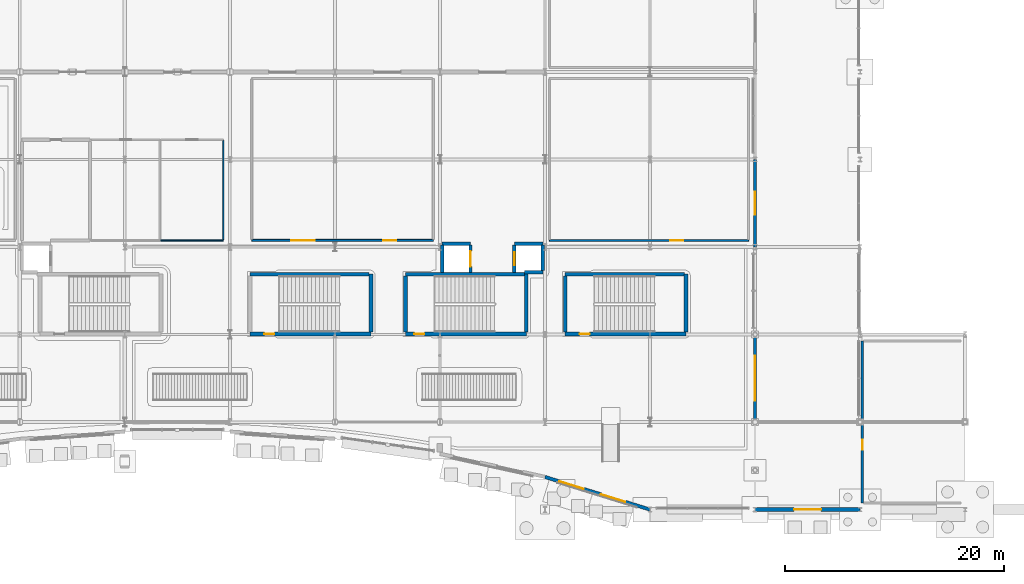
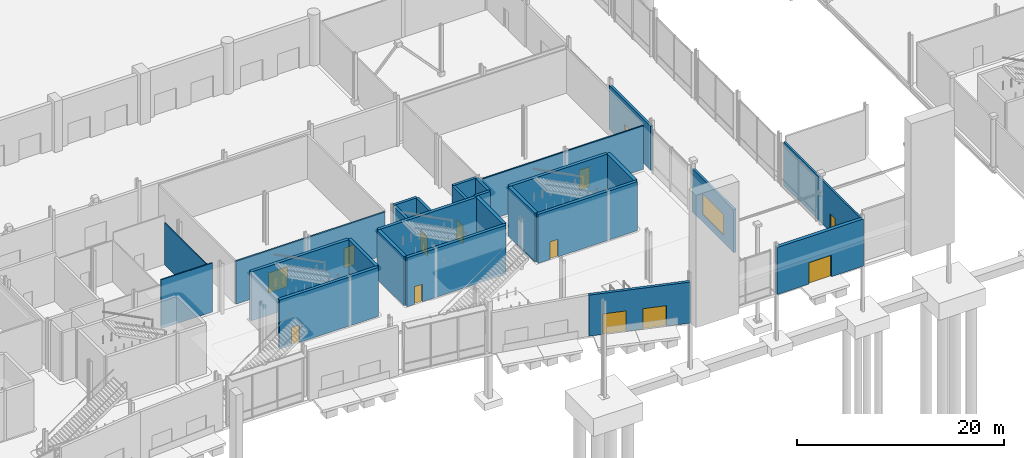
# One storey, part 75 of 124: 27 walls, 12 doors, 2 windows, 14 openings.
"""IFC4 building model written with IfcOpenShell, lengths in metres."""

from ifc_helpers import new_model, si_unit, direction, frame, frame_2d, origin, place, context, subcontext, project, spatial, rectangle, extrude, material, layer, layer_set, type_object, element, fill, save


model = new_model("IFC4")

# Units and contexts
model_context = context("Model", 3, precision=1e-05, world=origin(), true_north=direction((0.0, 1.0)))
body_context = subcontext(model_context, "Body", "Model", "MODEL_VIEW")
ifc_project = project(units=[si_unit("LENGTHUNIT", "METRE"), si_unit("AREAUNIT", "SQUARE_METRE"), si_unit("VOLUMEUNIT", "CUBIC_METRE"), si_unit("PLANEANGLEUNIT", "RADIAN"), si_unit("MASSUNIT", "GRAM", prefix="KILO")], contexts=[model_context])

# Site, building, storey
site_placement = place(None, origin())
site = spatial("IfcSite", under=ifc_project, at=site_placement, CompositionType="ELEMENT")
building_placement = place(site_placement, origin())
building = spatial("IfcBuilding", under=site, at=building_placement, Name="Danafjord Basin Convention Centre", CompositionType="ELEMENT")
storey_placement = place(building_placement, origin())
storey = spatial("IfcBuildingStorey", under=building, at=storey_placement, Name="L00", CompositionType="ELEMENT", Elevation=0.0)

# Wall
ifc_material_1 = material(Name="Concrete C40/50", Category="concrete")
ifc_layer_1 = layer(ifc_material_1, 0.300048828125)
ifc_layer_set_1 = layer_set([ifc_layer_1], Name="Concrete C40/50")
wall_type_1 = type_object("IfcWallType", Name="WALL-CW-CORE300", PredefinedType="SHEAR", material=ifc_layer_set_1)
wall_1_placement = place(storey_placement, frame((89.199951171875, 24.300048828125, 0.0), z_axis=(0.0, 0.0, 1.0), x_axis=(-1.0, 0.0, 0.0)))
element("IfcWall", 1, at=wall_1_placement, inside=storey, type_object=wall_type_1, Name="Lift LF-FF02 shaft shear wall", PredefinedType="SHEAR", context=body_context, shape_type="SweptSolid", body=[
    extrude(rectangle(XDim=2.599853515625, YDim=0.300048828125, at=frame_2d((1.2998046875, 0.0))), origin(), (0.0, 0.0, 1.0), 5.77001953125),
])

# Wall, opening, door
wall_2_placement = place(storey_placement, frame((89.199951171875, 21.6650390625, 0.0), z_axis=(0.0, 0.0, 1.0), x_axis=(0.0, 1.0, 0.0)))
wall_2 = element("IfcWall", 2, at=wall_2_placement, inside=storey, type_object=wall_type_1, Name="Lift LF-FF02 shaft shear wall", PredefinedType="SHEAR", context=body_context, shape_type="SweptSolid", body=[
    extrude(rectangle(XDim=2.5, YDim=0.300048828125, at=frame_2d((1.25, 0.0))), origin(), (0.0, 0.0, 1.0), 5.77001953125),
])
opening_1_placement = place(wall_2_placement, frame((0.550048828125, 0.0, 0.0)))
opening_1 = element("IfcOpeningElement", 3, at=opening_1_placement, cuts=wall_2, Name="Opening LD-F01", PredefinedType="OPENING", context=body_context, shape_type="SweptSolid", body=[
    extrude(rectangle(XDim=1.39990234375, YDim=2.260009765625, at=frame_2d((0.699951171875, 1.1298828125))), frame((0.0, 0.159912109375, 0.0), z_axis=(0.0, -1.0, 0.0), x_axis=(1.0, 0.0, 0.0)), (0.0, 0.0, 1.0), 0.320068359375),
])
ifc_material_2 = material(Name="Brushed stainless steel and acoustic laminated glass", Category="steel")
door_type_1 = type_object("IfcDoorType", Name="DOOR-LD-F01", OperationType="DOUBLE_DOOR_SLIDING", PredefinedType="DOOR", material=ifc_material_2)
door_1_placement = place(opening_1_placement, origin())
door_1 = element("IfcDoor", 4, at=door_1_placement, inside=storey, type_object=door_type_1, Name="Lift LF-FF02 L00 Landing Door", OperationType="DOUBLE_DOOR_SLIDING", OverallHeight=2.260009765625, OverallWidth=1.39990234375, PredefinedType="DOOR", context=body_context, shape_type="SweptSolid", body=[
    extrude(rectangle(XDim=1.39990234375, YDim=2.260009765625, at=frame_2d((0.699951171875, 1.1298828125))), frame((0.0, 0.02490234375, 0.0), z_axis=(0.0, -1.0, 0.0), x_axis=(1.0, 0.0, 0.0)), (0.0, 0.0, 1.0), 0.050048828125),
])
fill(opening_1, door_1)

# Walls
wall_3_placement = place(storey_placement, frame((86.60009765625, 24.1650390625, 0.0), z_axis=(0.0, 0.0, 1.0), x_axis=(0.0, -1.0, 0.0)))
element("IfcWall", 5, at=wall_3_placement, inside=storey, type_object=wall_type_1, Name="Lift LF-FF02 shaft shear wall", PredefinedType="SHEAR", context=body_context, shape_type="SweptSolid", body=[
    extrude(rectangle(XDim=2.5, YDim=0.300048828125, at=frame_2d((1.25, 0.0))), origin(), (0.0, 0.0, 1.0), 5.77001953125),
])
wall_4_placement = place(storey_placement, frame((95.800048828125, 24.300048828125, 0.0), z_axis=(0.0, 0.0, 1.0), x_axis=(-1.0, 0.0, 0.0)))
element("IfcWall", 6, at=wall_4_placement, inside=storey, type_object=wall_type_1, Name="Lift LF-P02 shaft shear wall", PredefinedType="SHEAR", context=body_context, shape_type="SweptSolid", body=[
    extrude(rectangle(XDim=2.60009765625, YDim=0.300048828125, at=frame_2d((1.300048828125, 0.0))), origin(), (0.0, 0.0, 1.0), 5.77001953125),
])
wall_5_placement = place(storey_placement, frame((94.110107421875, 21.699951171875, 0.0), z_axis=(0.0, 0.0, 1.0), x_axis=(1.0, 0.0, 0.0)))
element("IfcWall", 7, at=wall_5_placement, inside=storey, type_object=wall_type_1, Name="Lift LF-P02 shaft shear wall", PredefinedType="SHEAR", context=body_context, shape_type="SweptSolid", body=[
    extrude(rectangle(XDim=1.68994140625, YDim=0.300048828125, at=frame_2d((0.844970703125, 0.0))), origin(), (0.0, 0.0, 1.0), 5.77001953125),
])
wall_6_placement = place(storey_placement, frame((95.800048828125, 21.8349609375, 0.0), z_axis=(0.0, 0.0, 1.0), x_axis=(0.0, 1.0, 0.0)))
element("IfcWall", 8, at=wall_6_placement, inside=storey, type_object=wall_type_1, Name="Lift LF-P02 shaft shear wall", PredefinedType="SHEAR", context=body_context, shape_type="SweptSolid", body=[
    extrude(rectangle(XDim=2.330078125, YDim=0.300048828125, at=frame_2d((1.1650390625, 0.0))), origin(), (0.0, 0.0, 1.0), 5.77001953125),
])

# Wall, opening, door
wall_7_placement = place(storey_placement, frame((93.199951171875, 24.1650390625, 0.0), z_axis=(0.0, 0.0, 1.0), x_axis=(0.0, -1.0, 0.0)))
wall_7 = element("IfcWall", 9, at=wall_7_placement, inside=storey, type_object=wall_type_1, Name="Lift LF-P02 shaft shear wall", PredefinedType="SHEAR", context=body_context, shape_type="SweptSolid", body=[
    extrude(rectangle(XDim=2.5, YDim=0.300048828125, at=frame_2d((1.25, 0.0))), origin(), (0.0, 0.0, 1.0), 5.77001953125),
])
opening_2_placement = place(wall_7_placement, frame((0.64990234375, 0.0, 0.0)))
opening_2 = element("IfcOpeningElement", 10, at=opening_2_placement, cuts=wall_7, Name="Opening LD-P01", PredefinedType="OPENING", context=body_context, shape_type="SweptSolid", body=[
    extrude(rectangle(XDim=1.199951171875, YDim=2.199951171875, at=frame_2d((0.60009765625, 1.10009765625))), frame((0.0, 0.159912109375, 0.0), z_axis=(0.0, -1.0, 0.0), x_axis=(1.0, 0.0, 0.0)), (0.0, 0.0, 1.0), 0.320068359375),
])
door_type_2 = type_object("IfcDoorType", Name="DOOR-LD-P01", OperationType="DOUBLE_DOOR_SLIDING", PredefinedType="DOOR", material=ifc_material_2)
door_2_placement = place(opening_2_placement, origin())
door_2 = element("IfcDoor", 11, at=door_2_placement, inside=storey, type_object=door_type_2, Name="Lift LF-P02 L00 Landing Door", OperationType="DOUBLE_DOOR_SLIDING", OverallHeight=2.199951171875, OverallWidth=1.199951171875, PredefinedType="DOOR", context=body_context, shape_type="SweptSolid", body=[
    extrude(rectangle(XDim=1.199951171875, YDim=2.199951171875, at=frame_2d((0.60009765625, 1.10009765625))), frame((0.0, 0.02490234375, 0.0), z_axis=(0.0, -1.0, 0.0), x_axis=(1.0, 0.0, 0.0)), (0.0, 0.0, 1.0), 0.050048828125),
])
fill(opening_2, door_2)

ifc_material_3 = material(Name="Concrete C45/55", Category="concrete")
ifc_layer_2 = layer(ifc_material_3, 0.35009765625)
ifc_layer_set_2 = layer_set([ifc_layer_2], Name="Concrete C45/55")
wall_type_2 = type_object("IfcWallType", Name="WALL-CW-CORE350", PredefinedType="SHEAR", material=ifc_layer_set_2)
wall_8_placement = place(storey_placement, frame((94.2900390625, 16.050048828125, 0.0), z_axis=(0.0, 0.0, 1.0), x_axis=(-1.0, 0.0, 0.0)))
wall_8 = element("IfcWall", 12, at=wall_8_placement, inside=storey, type_object=wall_type_2, Name="Central Harbour Core Stair 1 core shear wall (south)", PredefinedType="SHEAR", context=body_context, shape_type="SweptSolid", body=[
    extrude(rectangle(XDim=11.0400390625, YDim=0.35009765625, at=frame_2d((5.52001953125, 0.0))), origin(), (0.0, 0.0, 1.0), 5.77001953125),
])
opening_3_placement = place(wall_8_placement, frame((9.323974609375, 0.0, 0.0)))
opening_3 = element("IfcOpeningElement", 13, at=opening_3_placement, cuts=wall_8, Name="Opening FD-S01", PredefinedType="OPENING", context=body_context, shape_type="SweptSolid", body=[
    extrude(rectangle(XDim=0.909912109375, YDim=2.080078125, at=frame_2d((0.455078125, 1.0400390625))), frame((0.0, 0.18505859375, 0.0), z_axis=(0.0, -1.0, 0.0), x_axis=(1.0, 0.0, 0.0)), (0.0, 0.0, 1.0), 0.3701171875),
])
ifc_material_4 = material(Name="Powder-coated steel and Nordic oak", Category="steel")
door_type_3 = type_object("IfcDoorType", Name="DOOR-FD-S01", OperationType="NOTDEFINED", PredefinedType="DOOR", material=ifc_material_4)
door_3_placement = place(opening_3_placement, origin())
door_3 = element("IfcDoor", 14, at=door_3_placement, inside=storey, type_object=door_type_3, Name="Central Harbour Core Stair 1 L00 Fire Exit Door", OperationType="SINGLE_SWING_RIGHT", OverallHeight=2.080078125, OverallWidth=0.909912109375, PredefinedType="DOOR", context=body_context, shape_type="SweptSolid", body=[
    extrude(rectangle(XDim=0.909912109375, YDim=2.080078125, at=frame_2d((0.455078125, 1.0400390625))), frame((0.0, 0.02490234375, 0.0), z_axis=(0.0, -1.0, 0.0), x_axis=(1.0, 0.0, 0.0)), (0.0, 0.0, 1.0), 0.050048828125),
])
fill(opening_3, door_3)

# Walls
wall_9_placement = place(storey_placement, frame((94.2900390625, 21.510009765625, 0.0), z_axis=(0.0, 0.0, 1.0), x_axis=(0.0, -1.0, 0.0)))
element("IfcWall", 15, at=wall_9_placement, inside=storey, type_object=wall_type_2, Name="Central Harbour Core Stair 1 core shear wall (east)", PredefinedType="SHEAR", context=body_context, shape_type="SweptSolid", body=[
    extrude(rectangle(XDim=5.300048828125, YDim=0.35009765625, at=frame_2d((2.64990234375, 0.0))), origin(), (0.0, 0.0, 1.0), 5.77001953125),
])
wall_10_placement = place(storey_placement, frame((83.25, 21.510009765625, 0.0), z_axis=(0.0, 0.0, 1.0), x_axis=(1.0, 0.0, 0.0)))
element("IfcWall", 16, at=wall_10_placement, inside=storey, type_object=wall_type_2, Name="Central Harbour Core Stair 1 core shear wall (north)", PredefinedType="SHEAR", context=body_context, shape_type="SweptSolid", body=[
    extrude(rectangle(XDim=10.8798828125, YDim=0.35009765625, at=frame_2d((5.43994140625, 0.0))), origin(), (0.0, 0.0, 1.0), 5.77001953125),
])
wall_11_placement = place(storey_placement, frame((83.25, 16.2099609375, 0.0), z_axis=(0.0, 0.0, 1.0), x_axis=(0.0, 1.0, 0.0)))
element("IfcWall", 17, at=wall_11_placement, inside=storey, type_object=wall_type_2, Name="Central Harbour Core Stair 1 core shear wall (west)", PredefinedType="SHEAR", context=body_context, shape_type="SweptSolid", body=[
    extrude(rectangle(XDim=5.14013671875, YDim=0.35009765625, at=frame_2d((2.570068359375, 0.0))), origin(), (0.0, 0.0, 1.0), 5.77001953125),
])

# Wall, opening, door
wall_12_placement = place(storey_placement, frame((108.889892578125, 16.050048828125, 0.0), z_axis=(0.0, 0.0, 1.0), x_axis=(-1.0, 0.0, 0.0)))
wall_12 = element("IfcWall", 18, at=wall_12_placement, inside=storey, type_object=wall_type_2, Name="East Harbour Escape Stair 2 core shear wall (south)", PredefinedType="SHEAR", context=body_context, shape_type="SweptSolid", body=[
    extrude(rectangle(XDim=11.039794921875, YDim=0.35009765625, at=frame_2d((5.52001953125, 0.0))), origin(), (0.0, 0.0, 1.0), 5.77001953125),
])
opening_4_placement = place(wall_12_placement, frame((8.818115234375, 0.0, 0.0)))
opening_4 = element("IfcOpeningElement", 19, at=opening_4_placement, cuts=wall_12, Name="Opening FD-S01", PredefinedType="OPENING", context=body_context, shape_type="SweptSolid", body=[
    extrude(rectangle(XDim=0.909912109375, YDim=2.080078125, at=frame_2d((0.455078125, 1.0400390625))), frame((0.0, 0.18505859375, 0.0), z_axis=(0.0, -1.0, 0.0), x_axis=(1.0, 0.0, 0.0)), (0.0, 0.0, 1.0), 0.3701171875),
])
door_4_placement = place(opening_4_placement, origin())
door_4 = element("IfcDoor", 20, at=door_4_placement, inside=storey, type_object=door_type_3, Name="East Harbour Escape Stair 2 L00 Fire Exit Door", OperationType="SINGLE_SWING_RIGHT", OverallHeight=2.080078125, OverallWidth=0.909912109375, PredefinedType="DOOR", context=body_context, shape_type="SweptSolid", body=[
    extrude(rectangle(XDim=0.909912109375, YDim=2.080078125, at=frame_2d((0.455078125, 1.0400390625))), frame((0.0, 0.02490234375, 0.0), z_axis=(0.0, -1.0, 0.0), x_axis=(1.0, 0.0, 0.0)), (0.0, 0.0, 1.0), 0.050048828125),
])
fill(opening_4, door_4)

# Walls
wall_13_placement = place(storey_placement, frame((108.889892578125, 21.510009765625, 0.0), z_axis=(0.0, 0.0, 1.0), x_axis=(0.0, -1.0, 0.0)))
element("IfcWall", 21, at=wall_13_placement, inside=storey, type_object=wall_type_2, Name="East Harbour Escape Stair 2 core shear wall (east)", PredefinedType="SHEAR", context=body_context, shape_type="SweptSolid", body=[
    extrude(rectangle(XDim=5.300048828125, YDim=0.35009765625, at=frame_2d((2.64990234375, 0.0))), origin(), (0.0, 0.0, 1.0), 5.77001953125),
])
wall_14_placement = place(storey_placement, frame((97.85009765625, 21.510009765625, 0.0), z_axis=(0.0, 0.0, 1.0), x_axis=(1.0, 0.0, 0.0)))
element("IfcWall", 22, at=wall_14_placement, inside=storey, type_object=wall_type_2, Name="East Harbour Escape Stair 2 core shear wall (north)", PredefinedType="SHEAR", context=body_context, shape_type="SweptSolid", body=[
    extrude(rectangle(XDim=10.8798828125, YDim=0.35009765625, at=frame_2d((5.43994140625, 0.0))), origin(), (0.0, 0.0, 1.0), 5.77001953125),
])
wall_15_placement = place(storey_placement, frame((97.85009765625, 16.2099609375, 0.0), z_axis=(0.0, 0.0, 1.0), x_axis=(0.0, 1.0, 0.0)))
element("IfcWall", 23, at=wall_15_placement, inside=storey, type_object=wall_type_2, Name="East Harbour Escape Stair 2 core shear wall (west)", PredefinedType="SHEAR", context=body_context, shape_type="SweptSolid", body=[
    extrude(rectangle(XDim=5.14013671875, YDim=0.35009765625, at=frame_2d((2.570068359375, 0.0))), origin(), (0.0, 0.0, 1.0), 5.77001953125),
])

# Wall, opening, door
wall_16_placement = place(storey_placement, frame((80.090087890625, 16.050048828125, 0.0), z_axis=(0.0, 0.0, 1.0), x_axis=(-1.0, 0.0, 0.0)))
wall_16 = element("IfcWall", 24, at=wall_16_placement, inside=storey, type_object=wall_type_2, Name="Mid-Arc Escape Stair 2 core shear wall (south)", PredefinedType="SHEAR", context=body_context, shape_type="SweptSolid", body=[
    extrude(rectangle(XDim=11.0400390625, YDim=0.35009765625, at=frame_2d((5.52001953125, 0.0))), origin(), (0.0, 0.0, 1.0), 5.77001953125),
])
opening_5_placement = place(wall_16_placement, frame((8.818115234375, 0.0, 0.0)))
opening_5 = element("IfcOpeningElement", 25, at=opening_5_placement, cuts=wall_16, Name="Opening FD-S01", PredefinedType="OPENING", context=body_context, shape_type="SweptSolid", body=[
    extrude(rectangle(XDim=0.909912109375, YDim=2.080078125, at=frame_2d((0.455078125, 1.0400390625))), frame((0.0, 0.18505859375, 0.0), z_axis=(0.0, -1.0, 0.0), x_axis=(1.0, 0.0, 0.0)), (0.0, 0.0, 1.0), 0.3701171875),
])
door_5_placement = place(opening_5_placement, origin())
door_5 = element("IfcDoor", 26, at=door_5_placement, inside=storey, type_object=door_type_3, Name="Mid-Arc Escape Stair 2 L00 Fire Exit Door", OperationType="SINGLE_SWING_LEFT", OverallHeight=2.080078125, OverallWidth=0.909912109375, PredefinedType="DOOR", context=body_context, shape_type="SweptSolid", body=[
    extrude(rectangle(XDim=0.909912109375, YDim=2.080078125, at=frame_2d((0.455078125, 1.0400390625))), frame((0.0, 0.02490234375, 0.0), z_axis=(0.0, -1.0, 0.0), x_axis=(1.0, 0.0, 0.0)), (0.0, 0.0, 1.0), 0.050048828125),
])
fill(opening_5, door_5)

# Walls
wall_17_placement = place(storey_placement, frame((80.090087890625, 21.510009765625, 0.0), z_axis=(0.0, 0.0, 1.0), x_axis=(0.0, -1.0, 0.0)))
element("IfcWall", 27, at=wall_17_placement, inside=storey, type_object=wall_type_2, Name="Mid-Arc Escape Stair 2 core shear wall (east)", PredefinedType="SHEAR", context=body_context, shape_type="SweptSolid", body=[
    extrude(rectangle(XDim=5.300048828125, YDim=0.35009765625, at=frame_2d((2.64990234375, 0.0))), origin(), (0.0, 0.0, 1.0), 5.77001953125),
])
wall_18_placement = place(storey_placement, frame((69.050048828125, 21.510009765625, 0.0), z_axis=(0.0, 0.0, 1.0), x_axis=(1.0, 0.0, 0.0)))
element("IfcWall", 28, at=wall_18_placement, inside=storey, type_object=wall_type_2, Name="Mid-Arc Escape Stair 2 core shear wall (north)", PredefinedType="SHEAR", context=body_context, shape_type="SweptSolid", body=[
    extrude(rectangle(XDim=10.8798828125, YDim=0.35009765625, at=frame_2d((5.43994140625, 0.0))), origin(), (0.0, 0.0, 1.0), 5.77001953125),
])

# Wall, openings, doors
ifc_material_5 = material(Name="Precast concrete C40/50", Category="concrete")
ifc_layer_3 = layer(ifc_material_5, 0.31005859375)
ifc_layer_set_3 = layer_set([ifc_layer_3], Name="Precast concrete C40/50")
wall_type_3 = type_object("IfcWallType", Name="WALL-EW-PC300", PredefinedType="SOLIDWALL", material=ifc_layer_set_3)
wall_19_placement = place(storey_placement, frame((96.0, 2.97998046875, 0.0), z_axis=(0.0, 0.0, 1.0), x_axis=(0.955046116742, -0.296457273306, 0.0)))
wall_19 = element("IfcWall", 29, at=wall_19_placement, inside=storey, type_object=wall_type_3, Name="L00 harbourfront precast facade bay 11", PredefinedType="SOLIDWALL", context=body_context, shape_type="SweptSolid", body=[
    extrude(rectangle(XDim=10.052001953125, YDim=0.31005859375, at=frame_2d((5.02587890625, 0.0))), origin(), (0.0, 0.0, 1.0), 4.840087890625),
])
opening_6_placement = place(wall_19_placement, frame((1.35009765625, 0.0, 0.0)))
opening_6 = element("IfcOpeningElement", 30, at=opening_6_placement, cuts=wall_19, Name="Opening ED-01", PredefinedType="OPENING", context=body_context, shape_type="SweptSolid", body=[
    extrude(rectangle(XDim=2.340087890625, YDim=2.419921875, at=frame_2d((1.169921875, 1.2099609375))), frame((0.0, 0.1650390625, 0.0), z_axis=(0.0, -1.0, 0.0), x_axis=(1.0, 0.0, 0.0)), (0.0, 0.0, 1.0), 0.330078125),
])
opening_7_placement = place(wall_19_placement, frame((5.35009765625, 0.0, 0.0)))
opening_7 = element("IfcOpeningElement", 31, at=opening_7_placement, cuts=wall_19, Name="Opening ED-01", PredefinedType="OPENING", context=body_context, shape_type="SweptSolid", body=[
    extrude(rectangle(XDim=2.340087890625, YDim=2.419921875, at=frame_2d((1.169921875, 1.2099609375))), frame((0.0, 0.1650390625, 0.0), z_axis=(0.0, -1.0, 0.0), x_axis=(1.0, 0.0, 0.0)), (0.0, 0.0, 1.0), 0.330078125),
])
ifc_material_6 = material(Name="Thermally broken anodised aluminium and steel", Category="steel")
door_type_4 = type_object("IfcDoorType", Name="DOOR-ED-01", OperationType="DOUBLE_DOOR_SINGLE_SWING", PredefinedType="DOOR", material=ifc_material_6)
door_6_placement = place(opening_6_placement, origin())
door_6 = element("IfcDoor", 32, at=door_6_placement, inside=storey, type_object=door_type_4, Name="Harbourfront Registration Entrance Door", OperationType="DOUBLE_DOOR_SINGLE_SWING", OverallHeight=2.419921875, OverallWidth=2.340087890625, PredefinedType="DOOR", context=body_context, shape_type="SweptSolid", body=[
    extrude(rectangle(XDim=2.340087890625, YDim=2.419921875, at=frame_2d((1.169921875, 1.2099609375))), frame((0.0, 0.02490234375, 0.0), z_axis=(0.0, -1.0, 0.0), x_axis=(1.0, 0.0, 0.0)), (0.0, 0.0, 1.0), 0.050048828125),
])
fill(opening_6, door_6)
door_7_placement = place(opening_7_placement, origin())
door_7 = element("IfcDoor", 33, at=door_7_placement, inside=storey, type_object=door_type_4, Name="Harbourfront Registration Entrance Door", OperationType="DOUBLE_DOOR_SINGLE_SWING", OverallHeight=2.419921875, OverallWidth=2.340087890625, PredefinedType="DOOR", context=body_context, shape_type="SweptSolid", body=[
    extrude(rectangle(XDim=2.340087890625, YDim=2.419921875, at=frame_2d((1.169921875, 1.2099609375))), frame((0.0, 0.02490234375, 0.0), z_axis=(0.0, -1.0, 0.0), x_axis=(1.0, 0.0, 0.0)), (0.0, 0.0, 1.0), 0.050048828125),
])
fill(opening_7, door_7)

# Wall, opening, door
ifc_material_7 = material(Name="Precast concrete C45/55", Category="concrete")
ifc_layer_4 = layer(ifc_material_7, 0.3798828125)
ifc_layer_set_4 = layer_set([ifc_layer_4], Name="Precast concrete C45/55")
wall_type_4 = type_object("IfcWallType", Name="WALL-EW-PC380", PredefinedType="SOLIDWALL", material=ifc_layer_set_4)
wall_20_placement = place(storey_placement, frame((115.199951171875, 0.0, 0.0), z_axis=(0.0, 0.0, 1.0), x_axis=(1.0, 0.0, 0.0)))
wall_20 = element("IfcWall", 34, at=wall_20_placement, inside=storey, type_object=wall_type_4, Name="Cloister south sculptural harbour portal wall", PredefinedType="SOLIDWALL", context=body_context, shape_type="SweptSolid", body=[
    extrude(rectangle(XDim=9.60009765625, YDim=0.3798828125, at=frame_2d((4.800048828125, 0.0))), origin(), (0.0, 0.0, 1.0), 5.550048828125),
])
opening_8_placement = place(wall_20_placement, frame((3.56005859375, 0.0, 0.0)))
opening_8 = element("IfcOpeningElement", 35, at=opening_8_placement, cuts=wall_20, Name="Opening ED-02", PredefinedType="OPENING", context=body_context, shape_type="SweptSolid", body=[
    extrude(rectangle(XDim=2.47998046875, YDim=2.52001953125, at=frame_2d((1.239990234375, 1.260009765625))), frame((0.0, 0.199951171875, 0.0), z_axis=(0.0, -1.0, 0.0), x_axis=(1.0, 0.0, 0.0)), (0.0, 0.0, 1.0), 0.39990234375),
])
door_type_5 = type_object("IfcDoorType", Name="DOOR-ED-02", OperationType="DOUBLE_DOOR_SINGLE_SWING", PredefinedType="DOOR", material=ifc_material_6)
door_8_placement = place(opening_8_placement, origin())
door_8 = element("IfcDoor", 36, at=door_8_placement, inside=storey, type_object=door_type_5, Name="Cloister Harbour Portal Entrance Door", OperationType="DOUBLE_DOOR_SINGLE_SWING", OverallHeight=2.52001953125, OverallWidth=2.47998046875, PredefinedType="DOOR", context=body_context, shape_type="SweptSolid", body=[
    extrude(rectangle(XDim=2.47998046875, YDim=2.52001953125, at=frame_2d((1.239990234375, 1.260009765625))), frame((0.0, 0.02490234375, 0.0), z_axis=(0.0, -1.0, 0.0), x_axis=(1.0, 0.0, 0.0)), (0.0, 0.0, 1.0), 0.050048828125),
])
fill(opening_8, door_8)

# Wall, opening, window
ifc_material_8 = material(Name="Concrete C35/45", Category="concrete")
ifc_layer_5 = layer(ifc_material_8, 0.260009765625)
ifc_layer_set_5 = layer_set([ifc_layer_5], Name="Concrete C35/45")
wall_type_5 = type_object("IfcWallType", Name="WALL-EW-STD260", PredefinedType="STANDARD", material=ifc_layer_set_5)
wall_21_placement = place(storey_placement, frame((115.199951171875, 8.0, 0.0), z_axis=(0.0, 0.0, 1.0), x_axis=(0.0, 1.0, 0.0)))
wall_21 = element("IfcWall", 37, at=wall_21_placement, inside=storey, type_object=wall_type_5, Name="L00 E wing facade wall", PredefinedType="STANDARD", context=body_context, shape_type="SweptSolid", body=[
    extrude(rectangle(XDim=8.0, YDim=0.260009765625, at=frame_2d((4.0, 0.0))), origin(), (0.0, 0.0, 1.0), 5.090087890625),
])
opening_9_placement = place(wall_21_placement, frame((1.949951171875, 0.0, 0.89990234375)))
opening_9 = element("IfcOpeningElement", 38, at=opening_9_placement, cuts=wall_21, Name="Opening WN-15", PredefinedType="OPENING", context=body_context, shape_type="SweptSolid", body=[
    extrude(rectangle(XDim=4.10009765625, YDim=2.39990234375, at=frame_2d((2.050048828125, 1.199951171875))), frame((0.0, 0.139892578125, 0.0), z_axis=(0.0, -1.0, 0.0), x_axis=(1.0, 0.0, 0.0)), (0.0, 0.0, 1.0), 0.280029296875),
])
ifc_material_9 = material(Name="Thermally broken aluminium and triple low-E glass", Category="aluminium")
window_type_1 = type_object("IfcWindowType", Name="WIN-WN-15", PartitioningType="SINGLE_PANEL", PredefinedType="WINDOW", material=ifc_material_9)
window_1_placement = place(opening_9_placement, origin())
window_1 = element("IfcWindow", 39, at=window_1_placement, inside=storey, type_object=window_type_1, Name="L00 E window WN-15", OverallHeight=2.39990234375, OverallWidth=4.10009765625, PartitioningType="SINGLE_PANEL", PredefinedType="WINDOW", context=body_context, shape_type="SweptSolid", body=[
    extrude(rectangle(XDim=4.10009765625, YDim=2.39990234375, at=frame_2d((2.050048828125, 1.199951171875))), frame((0.0, 0.030029296875, 0.0), z_axis=(0.0, -1.0, 0.0), x_axis=(1.0, 0.0, 0.0)), (0.0, 0.0, 1.0), 0.06005859375),
])
fill(opening_9, window_1)

wall_22_placement = place(storey_placement, frame((115.199951171875, 24.0, 0.0), z_axis=(0.0, 0.0, 1.0), x_axis=(0.0, 1.0, 0.0)))
wall_22 = element("IfcWall", 40, at=wall_22_placement, inside=storey, type_object=wall_type_5, Name="L00 E wing facade wall", PredefinedType="STANDARD", context=body_context, shape_type="SweptSolid", body=[
    extrude(rectangle(XDim=8.0, YDim=0.260009765625, at=frame_2d((4.0, 0.0))), origin(), (0.0, 0.0, 1.0), 5.18994140625),
])
opening_10_placement = place(wall_22_placement, frame((2.949951171875, 0.0, 0.89990234375)))
opening_10 = element("IfcOpeningElement", 41, at=opening_10_placement, cuts=wall_22, Name="Opening WN-16", PredefinedType="OPENING", context=body_context, shape_type="SweptSolid", body=[
    extrude(rectangle(XDim=2.10009765625, YDim=1.5, at=frame_2d((1.050048828125, 0.75))), frame((0.0, 0.139892578125, 0.0), z_axis=(0.0, -1.0, 0.0), x_axis=(1.0, 0.0, 0.0)), (0.0, 0.0, 1.0), 0.280029296875),
])
window_type_2 = type_object("IfcWindowType", Name="WIN-WN-16", PartitioningType="SINGLE_PANEL", PredefinedType="WINDOW", material=ifc_material_9)
window_2_placement = place(opening_10_placement, origin())
window_2 = element("IfcWindow", 42, at=window_2_placement, inside=storey, type_object=window_type_2, Name="L00 E window WN-16", OverallHeight=1.5, OverallWidth=2.10009765625, PartitioningType="SINGLE_PANEL", PredefinedType="WINDOW", context=body_context, shape_type="SweptSolid", body=[
    extrude(rectangle(XDim=2.10009765625, YDim=1.5, at=frame_2d((1.050048828125, 0.75))), frame((0.0, 0.030029296875, 0.0), z_axis=(0.0, -1.0, 0.0), x_axis=(1.0, 0.0, 0.0)), (0.0, 0.0, 1.0), 0.06005859375),
])
fill(opening_10, window_2)

# Wall, openings, doors
ifc_material_10 = material(Name="Acoustic double-board gypsum stud partition")
ifc_layer_6 = layer(ifc_material_10, 0.175048828125)
ifc_layer_set_6 = layer_set([ifc_layer_6], Name="Acoustic double-board gypsum stud partition")
wall_type_6 = type_object("IfcWallType", Name="WALL-PT-AC175", PredefinedType="PARTITIONING", material=ifc_layer_set_6)
wall_23_placement = place(storey_placement, frame((69.199951171875, 24.60009765625, 0.0), z_axis=(0.0, 0.0, 1.0), x_axis=(1.0, 0.0, 0.0)))
wall_23 = element("IfcWall", 43, at=wall_23_placement, inside=storey, type_object=wall_type_6, Name="Harbour Seminar Hall M02 south partition", PredefinedType="PARTITIONING", context=body_context, shape_type="SweptSolid", body=[
    extrude(rectangle(XDim=16.60009765625, YDim=0.175048828125, at=frame_2d((8.300048828125, 0.0))), origin(), (0.0, 0.0, 1.0), 5.0400390625),
])
opening_11_placement = place(wall_23_placement, frame((3.6201171875, 0.0, 0.0)))
opening_11 = element("IfcOpeningElement", 44, at=opening_11_placement, cuts=wall_23, Name="Opening FD-D07", PredefinedType="OPENING", context=body_context, shape_type="SweptSolid", body=[
    extrude(rectangle(XDim=2.1201171875, YDim=2.3798828125, at=frame_2d((1.06005859375, 1.18994140625))), frame((0.0, 0.097412109375, 0.0), z_axis=(0.0, -1.0, 0.0), x_axis=(1.0, 0.0, 0.0)), (0.0, 0.0, 1.0), 0.195068359375),
])
opening_12_placement = place(wall_23_placement, frame((12.02001953125, 0.0, 0.0)))
opening_12 = element("IfcOpeningElement", 45, at=opening_12_placement, cuts=wall_23, Name="Opening FD-S18", PredefinedType="OPENING", context=body_context, shape_type="SweptSolid", body=[
    extrude(rectangle(XDim=1.18994140625, YDim=2.340087890625, at=frame_2d((0.594970703125, 1.169921875))), frame((0.0, 0.097412109375, 0.0), z_axis=(0.0, -1.0, 0.0), x_axis=(1.0, 0.0, 0.0)), (0.0, 0.0, 1.0), 0.195068359375),
])
door_type_6 = type_object("IfcDoorType", Name="DOOR-FD-D07", OperationType="DOUBLE_DOOR_SINGLE_SWING", PredefinedType="DOOR", material=ifc_material_2)
door_9_placement = place(opening_11_placement, origin())
door_9 = element("IfcDoor", 46, at=door_9_placement, inside=storey, type_object=door_type_6, Name="Harbour Seminar Hall M02 Entrance Door", OperationType="DOUBLE_DOOR_SINGLE_SWING", OverallHeight=2.3798828125, OverallWidth=2.1201171875, PredefinedType="DOOR", context=body_context, shape_type="SweptSolid", body=[
    extrude(rectangle(XDim=2.1201171875, YDim=2.3798828125, at=frame_2d((1.06005859375, 1.18994140625))), frame((0.0, 0.02490234375, 0.0), z_axis=(0.0, -1.0, 0.0), x_axis=(1.0, 0.0, 0.0)), (0.0, 0.0, 1.0), 0.050048828125),
])
fill(opening_11, door_9)
door_type_7 = type_object("IfcDoorType", Name="DOOR-FD-S18", OperationType="NOTDEFINED", PredefinedType="DOOR", material=ifc_material_4)
door_10_placement = place(opening_12_placement, origin())
door_10 = element("IfcDoor", 47, at=door_10_placement, inside=storey, type_object=door_type_7, Name="Harbour Seminar Hall M02 Secondary Exit Door", OperationType="SINGLE_SWING_RIGHT", OverallHeight=2.340087890625, OverallWidth=1.18994140625, PredefinedType="DOOR", context=body_context, shape_type="SweptSolid", body=[
    extrude(rectangle(XDim=1.18994140625, YDim=2.340087890625, at=frame_2d((0.594970703125, 1.169921875))), frame((0.0, 0.02490234375, 0.0), z_axis=(0.0, -1.0, 0.0), x_axis=(1.0, 0.0, 0.0)), (0.0, 0.0, 1.0), 0.050048828125),
])
fill(opening_12, door_10)

# Walls
ifc_material_11 = material(Name="Moisture-resistant gypsum stud partition")
ifc_layer_7 = layer(ifc_material_11, 0.1201171875)
ifc_layer_set_7 = layer_set([ifc_layer_7], Name="Moisture-resistant gypsum stud partition")
wall_type_7 = type_object("IfcWallType", Name="WALL-PT-ST120", PredefinedType="PARTITIONING", material=ifc_layer_set_7)
wall_24_placement = place(storey_placement, frame((60.864013671875, 24.60009765625, 0.0), z_axis=(0.0, 0.0, 1.0), x_axis=(1.0, 0.0, 0.0)))
element("IfcWall", 48, at=wall_24_placement, inside=storey, type_object=wall_type_7, Name="Ground Concourse Accessible WC south partition", PredefinedType="PARTITIONING", context=body_context, shape_type="SweptSolid", body=[
    extrude(rectangle(XDim=5.736083984375, YDim=0.1201171875, at=frame_2d((2.8681640625, 0.0))), origin(), (0.0, 0.0, 1.0), 5.77001953125),
])
wall_25_placement = place(storey_placement, frame((66.60009765625, 24.6640625, 0.0), z_axis=(0.0, 0.0, 1.0), x_axis=(0.0, 1.0, 0.0)))
element("IfcWall", 49, at=wall_25_placement, inside=storey, type_object=wall_type_7, Name="Ground Concourse Accessible WC east partition", PredefinedType="PARTITIONING", context=body_context, shape_type="SweptSolid", body=[
    extrude(rectangle(XDim=9.072021484375, YDim=0.1201171875, at=frame_2d((4.5361328125, 0.0))), origin(), (0.0, 0.0, 1.0), 4.93994140625),
])

# Wall, opening, door
ifc_material_12 = material(Name="Fire-rated gypsum metal-stud partition")
ifc_layer_8 = layer(ifc_material_12, 0.14990234375)
ifc_layer_set_8 = layer_set([ifc_layer_8], Name="Fire-rated gypsum metal-stud partition")
wall_type_8 = type_object("IfcWallType", Name="WALL-PT-ST150", PredefinedType="PARTITIONING", material=ifc_layer_set_8)
wall_26_placement = place(storey_placement, frame((96.39990234375, 24.60009765625, 0.0), z_axis=(0.0, 0.0, 1.0), x_axis=(1.0, 0.0, 0.0)))
wall_26 = element("IfcWall", 50, at=wall_26_placement, inside=storey, type_object=wall_type_8, Name="Delegate Business Centre and Kiosk south partition", PredefinedType="PARTITIONING", context=body_context, shape_type="SweptSolid", body=[
    extrude(rectangle(XDim=18.2001953125, YDim=0.14990234375, at=frame_2d((9.10009765625, 0.0))), origin(), (0.0, 0.0, 1.0), 5.139892578125),
])
opening_13_placement = place(wall_26_placement, frame((11.037109375, 0.0, 0.0)))
opening_13 = element("IfcOpeningElement", 51, at=opening_13_placement, cuts=wall_26, Name="Opening FD-S19", PredefinedType="OPENING", context=body_context, shape_type="SweptSolid", body=[
    extrude(rectangle(XDim=1.219970703125, YDim=2.360107421875, at=frame_2d((0.60986328125, 1.18017578125))), frame((0.0, 0.0849609375, 0.0), z_axis=(0.0, -1.0, 0.0), x_axis=(1.0, 0.0, 0.0)), (0.0, 0.0, 1.0), 0.169921875),
])
door_type_8 = type_object("IfcDoorType", Name="DOOR-FD-S19", OperationType="NOTDEFINED", PredefinedType="DOOR", material=ifc_material_4)
door_11_placement = place(opening_13_placement, origin())
door_11 = element("IfcDoor", 52, at=door_11_placement, inside=storey, type_object=door_type_8, Name="Delegate Business Centre and Kiosk Entrance Door", OperationType="SINGLE_SWING_LEFT", OverallHeight=2.360107421875, OverallWidth=1.219970703125, PredefinedType="DOOR", context=body_context, shape_type="SweptSolid", body=[
    extrude(rectangle(XDim=1.219970703125, YDim=2.360107421875, at=frame_2d((0.60986328125, 1.18017578125))), frame((0.0, 0.02490234375, 0.0), z_axis=(0.0, -1.0, 0.0), x_axis=(1.0, 0.0, 0.0)), (0.0, 0.0, 1.0), 0.050048828125),
])
fill(opening_13, door_11)

ifc_layer_9 = layer(ifc_material_8, 0.205078125)
ifc_layer_set_9 = layer_set([ifc_layer_9], Name="Concrete C35/45")
wall_type_9 = type_object("IfcWallType", Name="WALL-W-COMP205", PredefinedType="SOLIDWALL", material=ifc_layer_set_9)
wall_27_placement = place(storey_placement, frame((125.0, 15.39990234375, 0.0), z_axis=(0.0, 0.0, 1.0), x_axis=(0.0, -1.0, 0.0)))
wall_27 = element("IfcWall", 53, at=wall_27_placement, inside=storey, type_object=wall_type_9, Name="Ground Smoke Extract AHU Plant west partition", PredefinedType="SOLIDWALL", context=body_context, shape_type="SweptSolid", body=[
    extrude(rectangle(XDim=14.7998046875, YDim=0.205078125, at=frame_2d((7.39990234375, 0.0))), origin(), (0.0, 0.0, 1.0), 5.139892578125),
])
opening_14_placement = place(wall_27_placement, frame((9.009033203125, 0.0, 0.0)))
opening_14 = element("IfcOpeningElement", 54, at=opening_14_placement, cuts=wall_27, Name="Opening FD-S02", PredefinedType="OPENING", context=body_context, shape_type="SweptSolid", body=[
    extrude(rectangle(XDim=0.93994140625, YDim=2.10009765625, at=frame_2d((0.469970703125, 1.050048828125))), frame((0.0, 0.112548828125, 0.0), z_axis=(0.0, -1.0, 0.0), x_axis=(1.0, 0.0, 0.0)), (0.0, 0.0, 1.0), 0.22509765625),
])
door_type_9 = type_object("IfcDoorType", Name="DOOR-FD-S02", OperationType="NOTDEFINED", PredefinedType="DOOR", material=ifc_material_4)
door_12_placement = place(opening_14_placement, origin())
door_12 = element("IfcDoor", 55, at=door_12_placement, inside=storey, type_object=door_type_9, Name="Ground Smoke Extract AHU Plant Entrance Door", OperationType="SINGLE_SWING_RIGHT", OverallHeight=2.10009765625, OverallWidth=0.93994140625, PredefinedType="DOOR", context=body_context, shape_type="SweptSolid", body=[
    extrude(rectangle(XDim=0.93994140625, YDim=2.10009765625, at=frame_2d((0.469970703125, 1.050048828125))), frame((0.0, 0.02490234375, 0.0), z_axis=(0.0, -1.0, 0.0), x_axis=(1.0, 0.0, 0.0)), (0.0, 0.0, 1.0), 0.050048828125),
])
fill(opening_14, door_12)

save(model, "model.ifc")
